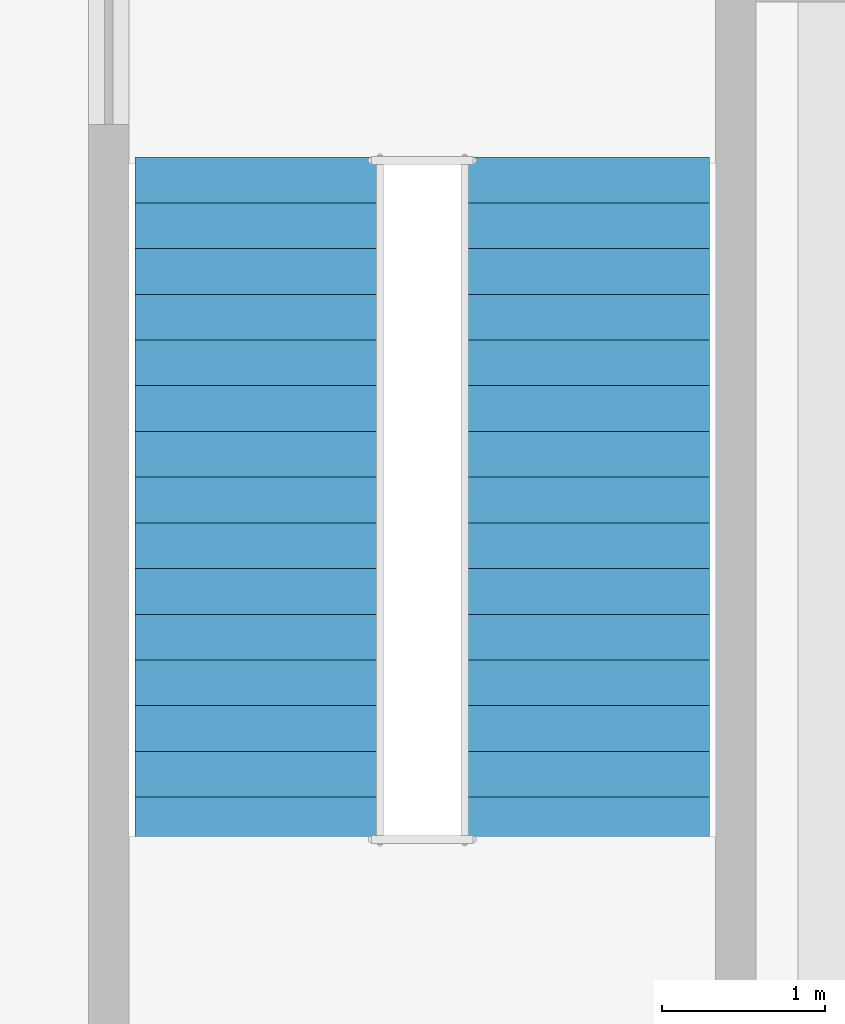
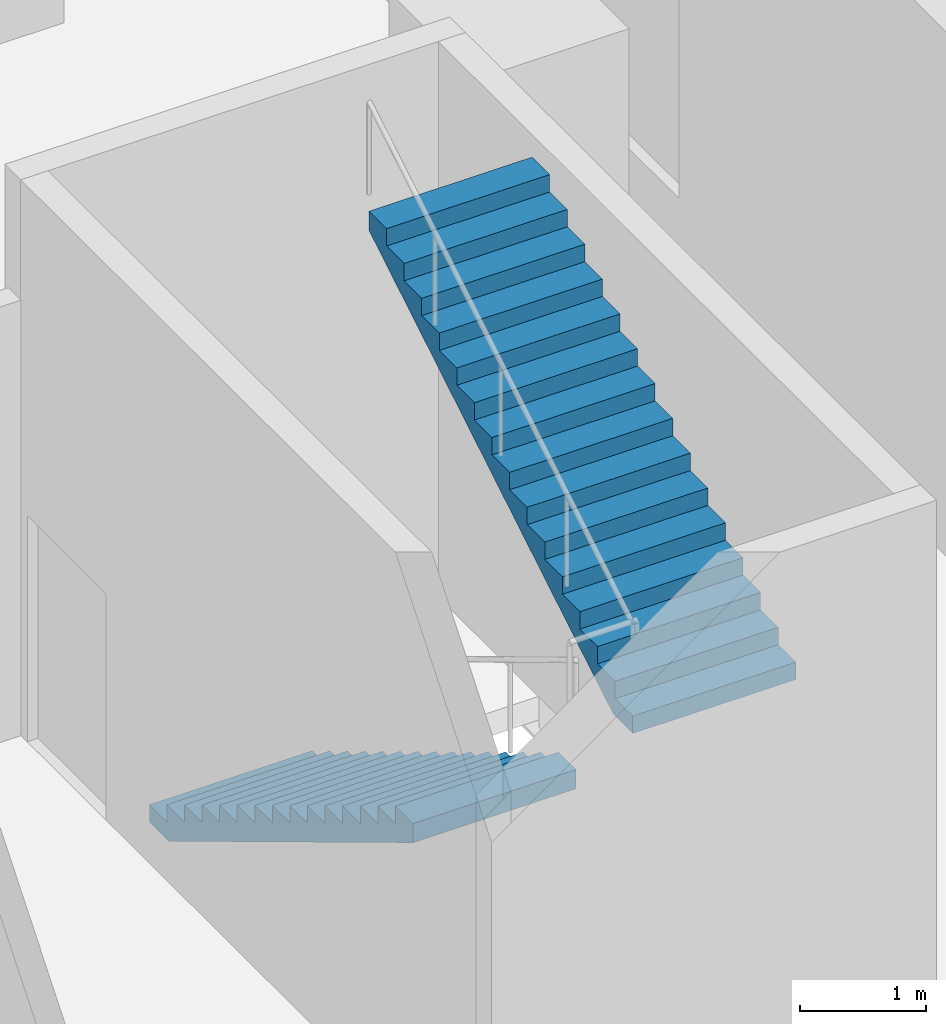
# One storey, part 18 of 20: 2 stair flights, 1 element without a shape of its own.
"""IFC4 building model written with IfcOpenShell, lengths in metres."""

from ifc_helpers import new_model, si_unit, direction, frame, origin, place, context, subcontext, project, spatial, polyline, outline, extrude, material, type_object, element, aggregate, save


model = new_model("IFC4")

# Units and contexts
model_context = context("Model", 3, precision=1e-05, world=origin(), true_north=direction((0.0, 1.0)))
body_context = subcontext(model_context, "Body", "Model", "MODEL_VIEW")
ifc_project = project(units=[si_unit("LENGTHUNIT", "METRE"), si_unit("AREAUNIT", "SQUARE_METRE"), si_unit("VOLUMEUNIT", "CUBIC_METRE"), si_unit("PLANEANGLEUNIT", "RADIAN"), si_unit("MASSUNIT", "GRAM", prefix="KILO")], contexts=[model_context])

# Site, building, storey
site_placement = place(None, origin())
site = spatial("IfcSite", under=ifc_project, at=site_placement, CompositionType="ELEMENT")
building_placement = place(site_placement, origin())
building = spatial("IfcBuilding", under=site, at=building_placement, Name="Mawjdan Bourse Tower", CompositionType="ELEMENT")
storey_placement = place(building_placement, frame((0.0, 0.0, 5.39990234375)))
storey = spatial("IfcBuildingStorey", under=building, at=storey_placement, Name="L01", CompositionType="ELEMENT", Elevation=5.39990234375)

# Stair, stair flights
ifc_material = material(Name="Concrete C50/60", Category="concrete")
stair_type = type_object("IfcStairType", Name="STR-CORE-1500", PredefinedType="HALF_TURN_STAIR", material=ifc_material)
stair_placement = place(storey_placement, origin())
stair = element("IfcStair", 1, at=stair_placement, inside=storey, type_object=stair_type, Name="L01 Exit Stair 6 (East Podium Pier)", PredefinedType="HALF_TURN_STAIR")
stair_flight_type = type_object("IfcStairFlightType", Name="SFL-RC-1500", PredefinedType="STRAIGHT", material=ifc_material)
stair_flight_1_placement = place(storey_placement, frame((64.989990234375, 10.35009765625, 0.0), z_axis=(0.0, 0.0, 1.0), x_axis=(0.0, -1.0, 0.0)))
stair_flight_1 = element("IfcStairFlight", 2, at=stair_flight_1_placement, type_object=stair_flight_type, Name="ST6-L01 flight 1", NumberOfRisers=16, NumberOfTreads=15, PredefinedType="STRAIGHT", RiserHeight=0.16875, TreadLength=0.28, context=body_context, shape_type="SweptSolid", body=[
    extrude(outline(polyline([(0.0, 0.0), (0.0, 0.168701171875), (0.280029296875, 0.168701171875), (0.280029296875, 0.33740234375), (0.56005859375, 0.33740234375), (0.56005859375, 0.50634765625), (0.840087890625, 0.50634765625), (0.840087890625, 0.675048828125), (1.1201171875, 0.675048828125), (1.1201171875, 0.84375), (1.39990234375, 0.84375), (1.39990234375, 1.012451171875), (1.679931640625, 1.012451171875), (1.679931640625, 1.18115234375), (1.9599609375, 1.18115234375), (1.9599609375, 1.35009765625), (2.239990234375, 1.35009765625), (2.239990234375, 1.518798828125), (2.52001953125, 1.518798828125), (2.52001953125, 1.6875), (2.800048828125, 1.6875), (2.800048828125, 1.856201171875), (3.080078125, 1.856201171875), (3.080078125, 2.02490234375), (3.360107421875, 2.02490234375), (3.360107421875, 2.19384765625), (3.639892578125, 2.19384765625), (3.639892578125, 2.362548828125), (3.919921875, 2.362548828125), (3.919921875, 2.53125), (4.199951171875, 2.53125), (4.199951171875, 2.699951171875), (4.199951171875, 2.344482421875), (0.309814453125, 0.0), (0.0, 0.0)])), frame((0.0, 0.75, 0.0), z_axis=(0.0, -1.0, 0.0), x_axis=(1.0, 0.0, 0.0)), (0.0, 0.0, 1.0), 1.5),
])
stair_flight_2_placement = place(storey_placement, frame((67.010009765625, 6.14990234375, 2.7001953125), z_axis=(0.0, 0.0, 1.0), x_axis=(0.0, 1.0, 0.0)))
stair_flight_2 = element("IfcStairFlight", 3, at=stair_flight_2_placement, type_object=stair_flight_type, Name="ST6-L01 flight 2", NumberOfRisers=16, NumberOfTreads=15, PredefinedType="STRAIGHT", RiserHeight=0.16875, TreadLength=0.28, context=body_context, shape_type="SweptSolid", body=[
    extrude(outline(polyline([(0.0, 0.0), (0.0, 0.168701171875), (0.280029296875, 0.168701171875), (0.280029296875, 0.33740234375), (0.56005859375, 0.33740234375), (0.56005859375, 0.50634765625), (0.840087890625, 0.50634765625), (0.840087890625, 0.675048828125), (1.1201171875, 0.675048828125), (1.1201171875, 0.84375), (1.39990234375, 0.84375), (1.39990234375, 1.012451171875), (1.679931640625, 1.012451171875), (1.679931640625, 1.18115234375), (1.9599609375, 1.18115234375), (1.9599609375, 1.35009765625), (2.239990234375, 1.35009765625), (2.239990234375, 1.518798828125), (2.52001953125, 1.518798828125), (2.52001953125, 1.6875), (2.800048828125, 1.6875), (2.800048828125, 1.856201171875), (3.080078125, 1.856201171875), (3.080078125, 2.02490234375), (3.360107421875, 2.02490234375), (3.360107421875, 2.19384765625), (3.639892578125, 2.19384765625), (3.639892578125, 2.362548828125), (3.919921875, 2.362548828125), (3.919921875, 2.53125), (4.199951171875, 2.53125), (4.199951171875, 2.699951171875), (4.199951171875, 2.344482421875), (0.309814453125, 0.0), (0.0, 0.0)])), frame((0.0, 0.75, 0.0), z_axis=(0.0, -1.0, 0.0), x_axis=(1.0, 0.0, 0.0)), (0.0, 0.0, 1.0), 1.5),
])
aggregate(stair, [stair_flight_1, stair_flight_2])

save(model, "model.ifc")
